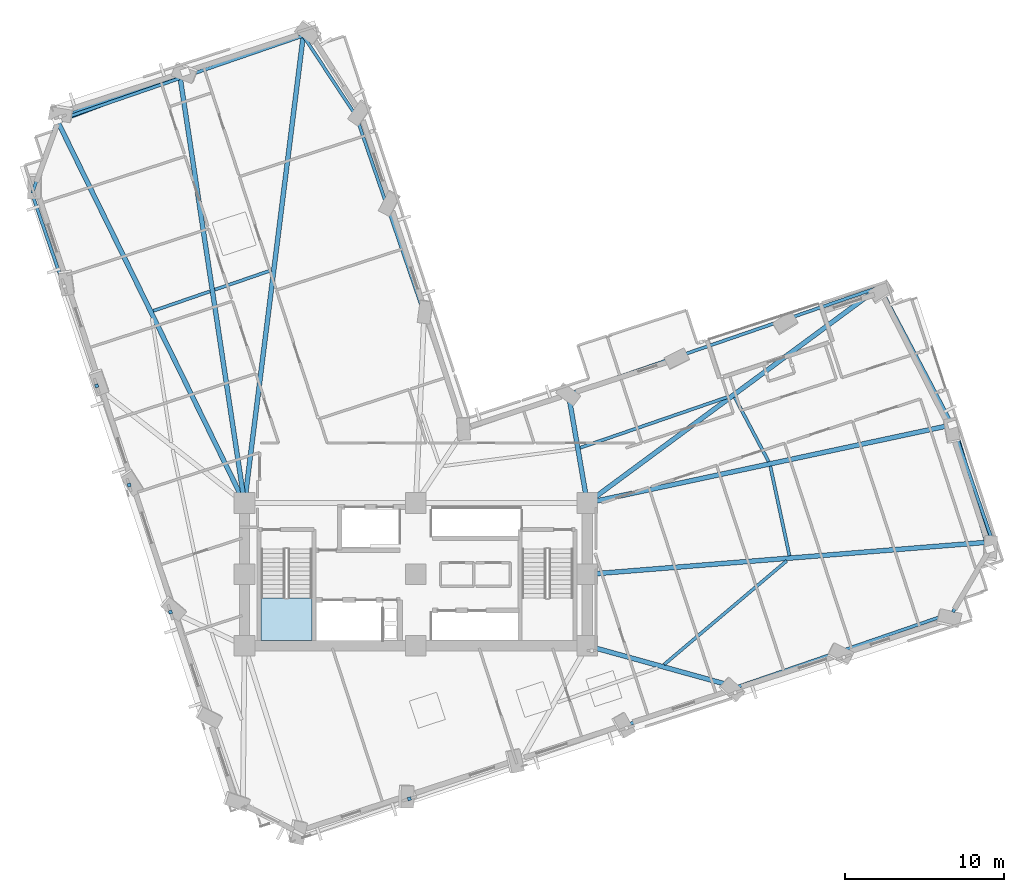
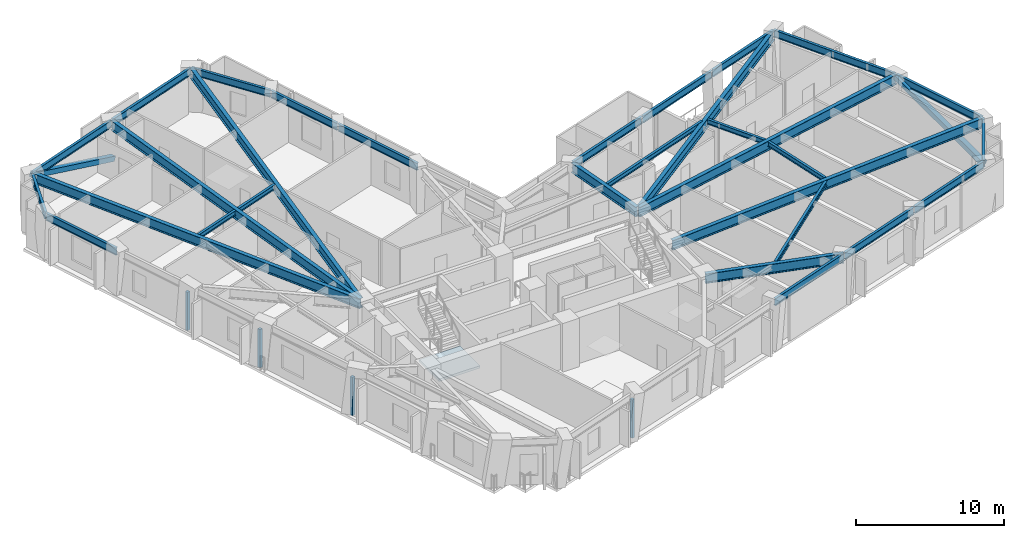
# One storey, part 2 of 16: 30 beams, 4 plates, 2 members, 1 slab, 1 element without a shape of its own.
"""IFC4 building model written with IfcOpenShell, lengths in metres."""

from ifc_helpers import new_model, si_unit, direction, frame, origin, origin_2d, place, context, subcontext, project, spatial, polyline, rectangle, hollow_rectangle, i_section, outline, extrude, material, layer, layer_set, material_profile, profile_set, type_object, element, aggregate, save


model = new_model("IFC4")

# Units and contexts
model_context = context("Model", 3, precision=1e-05, world=origin(), true_north=direction((0.0, 1.0)))
body_context = subcontext(model_context, "Body", "Model", "MODEL_VIEW")
ifc_project = project(units=[si_unit("LENGTHUNIT", "METRE"), si_unit("AREAUNIT", "SQUARE_METRE"), si_unit("VOLUMEUNIT", "CUBIC_METRE"), si_unit("PLANEANGLEUNIT", "RADIAN"), si_unit("MASSUNIT", "GRAM", prefix="KILO")], contexts=[model_context])

# Site, building, storey
site_placement = place(None, origin())
site = spatial("IfcSite", under=ifc_project, at=site_placement, CompositionType="ELEMENT")
building_placement = place(site_placement, origin())
building = spatial("IfcBuilding", under=site, at=building_placement, Name="Gaonmaruhae Medical Tower", CompositionType="ELEMENT")
storey_placement = place(building_placement, frame((0.0, 0.0, 100.39990234375)))
storey = spatial("IfcBuildingStorey", under=building, at=storey_placement, Name="L23", CompositionType="ELEMENT", Elevation=100.39990234375)

# Beams
ifc_material_1 = material(Name="Steel SM355", Category="steel")
ifc_material_profile_1 = material_profile(ifc_material_1, i_section(OverallWidth=0.199951171875, OverallDepth=0.39990234375, WebThickness=0.008056640625, FlangeThickness=0.012939453125, FilletRadius=0.012939453125, at=origin_2d()), Name="H-400x200x8x13")
ifc_profile_set_1 = profile_set([ifc_material_profile_1], Name="Steel SM355")
beam_type_1 = type_object("IfcBeamType", Name="FJ-01 Lower Zone Ward Floor Joist (H-400x200x8x13)", PredefinedType="JOIST", material=ifc_profile_set_1)
beam_1_placement = place(storey_placement, frame((40.4453125, 6.618408203125, 3.580078125), z_axis=(0.763563717736, 0.645732490244, 0.0), x_axis=(-0.645732490244, 0.763563717736, 0.0)))
element("IfcBeam", 1, at=beam_1_placement, inside=storey, type_object=beam_type_1, Name="L23 Secondary Floor Joist FJ03", PredefinedType="JOIST", context=body_context, shape_type="SweptSolid", body=[
    extrude(i_section(OverallWidth=0.199951171875, OverallDepth=0.39990234375, WebThickness=0.008056640625, FlangeThickness=0.012939453125, FilletRadius=0.012939453125, at=origin_2d()), origin(), (0.0, 0.0, 1.0), 10.12353515625),
])
beam_2_placement = place(storey_placement, frame((48.343505859375, 13.479248046875, 3.580078125), z_axis=(-0.209094772352, 0.977895380997, 0.0), x_axis=(-0.977895380997, -0.209094772352, 0.0)))
element("IfcBeam", 2, at=beam_2_placement, inside=storey, type_object=beam_type_1, Name="L23 Secondary Floor Joist FJ04", PredefinedType="JOIST", context=body_context, shape_type="SweptSolid", body=[
    extrude(i_section(OverallWidth=0.199951171875, OverallDepth=0.39990234375, WebThickness=0.008056640625, FlangeThickness=0.012939453125, FilletRadius=0.012939453125, at=origin_2d()), origin(), (0.0, 0.0, 1.0), 5.758544921875),
])
beam_3_placement = place(storey_placement, frame((47.03125, 19.40625, 3.580078125), z_axis=(-0.466246392734, 0.884654905182, 0.0), x_axis=(-0.884654905182, -0.466246392734, 0.0)))
element("IfcBeam", 3, at=beam_3_placement, inside=storey, type_object=beam_type_1, Name="L23 Secondary Floor Joist FJ05", PredefinedType="JOIST", context=body_context, shape_type="SweptSolid", body=[
    extrude(i_section(OverallWidth=0.199951171875, OverallDepth=0.39990234375, WebThickness=0.008056640625, FlangeThickness=0.012939453125, FilletRadius=0.012939453125, at=origin_2d()), origin(), (0.0, 0.0, 1.0), 4.588134765625),
])
beam_4_placement = place(storey_placement, frame((44.439697265625, 23.47412109375, 3.580078125), z_axis=(-0.9455208944, -0.325561420093, 0.0), x_axis=(0.325561420093, -0.9455208944, 0.0)))
element("IfcBeam", 4, at=beam_4_placement, inside=storey, type_object=beam_type_1, Name="L23 Secondary Floor Joist FJ06", PredefinedType="JOIST", context=body_context, shape_type="SweptSolid", body=[
    extrude(i_section(OverallWidth=0.199951171875, OverallDepth=0.39990234375, WebThickness=0.008056640625, FlangeThickness=0.012939453125, FilletRadius=0.012939453125, at=origin_2d()), origin(), (0.0, 0.0, 1.0), 9.816162109375),
])
beam_5_placement = place(storey_placement, frame((15.687744140625, 31.46484375, 3.580078125), z_axis=(-0.945520912761, -0.325561366769, 0.0), x_axis=(0.325561366769, -0.945520912761, 0.0)))
element("IfcBeam", 5, at=beam_5_placement, inside=storey, type_object=beam_type_1, Name="L23 Secondary Floor Joist FJ10", PredefinedType="JOIST", context=body_context, shape_type="SweptSolid", body=[
    extrude(i_section(OverallWidth=0.199951171875, OverallDepth=0.39990234375, WebThickness=0.008056640625, FlangeThickness=0.012939453125, FilletRadius=0.012939453125, at=origin_2d()), origin(), (0.0, 0.0, 1.0), 3.768310546875),
])
beam_6_placement = place(storey_placement, frame((11.824951171875, 30.134765625, 3.580078125), z_axis=(-0.945527819877, -0.325541305888, 0.0), x_axis=(0.325541305888, -0.945527819877, 0.0)))
element("IfcBeam", 6, at=beam_6_placement, inside=storey, type_object=beam_type_1, Name="L23 Secondary Floor Joist FJ11", PredefinedType="JOIST", context=body_context, shape_type="SweptSolid", body=[
    extrude(i_section(OverallWidth=0.199951171875, OverallDepth=0.39990234375, WebThickness=0.008056640625, FlangeThickness=0.012939453125, FilletRadius=0.012939453125, at=origin_2d()), origin(), (0.0, 0.0, 1.0), 3.7841796875),
])

# Members
ifc_material_2 = material(Name="Steel SM420", Category="steel")
ifc_material_profile_2 = material_profile(ifc_material_2, hollow_rectangle(XDim=0.39990234375, YDim=0.39990234375, WallThickness=0.01611328125, at=origin_2d()), Name="RHS-400x400x16")
ifc_profile_set_2 = profile_set([ifc_material_profile_2], Name="Steel SM420")
member_type = type_object("IfcMemberType", Name="PB-01 Perimeter Solid-Bay Tube Brace Lower (RHS-400x400x16)", PredefinedType="BRACE", material=ifc_profile_set_2)
member_1_placement = place(storey_placement, frame((60.975830078125, 13.895751953125, 0.25), z_axis=(-0.268075256206, 0.888588021115, 0.372219002391), x_axis=(-0.957380674889, -0.288829090207, 0.0)))
element("IfcMember", 7, at=member_1_placement, inside=storey, type_object=member_type, Name="L23 Perimeter Tube Solid-Bay Brace E01-E02", PredefinedType="BRACE", context=body_context, shape_type="SweptSolid", body=[
    extrude(hollow_rectangle(XDim=0.39990234375, YDim=0.39990234375, WallThickness=0.01611328125, at=origin_2d()), origin(), (0.0, 0.0, 1.0), 8.81201171875),
])
member_2_placement = place(storey_placement, frame((10.26416015625, 43.96240234375, 0.25), z_axis=(-0.874019273833, -0.331400517495, 0.355336468678), x_axis=(0.354538227159, -0.935041520727, 0.0)))
element("IfcMember", 8, at=member_2_placement, inside=storey, type_object=member_type, Name="L23 Perimeter Tube Solid-Bay Brace N02-N03", PredefinedType="BRACE", context=body_context, shape_type="SweptSolid", body=[
    extrude(hollow_rectangle(XDim=0.39990234375, YDim=0.39990234375, WallThickness=0.01611328125, at=origin_2d()), origin(), (0.0, 0.0, 1.0), 9.230712890625),
])

# Beams
ifc_material_profile_3 = material_profile(ifc_material_2, i_section(OverallWidth=0.300048828125, OverallDepth=0.800048828125, WebThickness=0.013916015625, FlangeThickness=0.02587890625, FilletRadius=0.01806640625, at=origin_2d()), Name="H-800x300x14x26")
ifc_profile_set_3 = profile_set([ifc_material_profile_3], Name="Steel SM420")
beam_type_2 = type_object("IfcBeamType", Name="PG-02 Zone 2 Radial Floor Girder (H-800x300x14x26)", PredefinedType="BEAM", material=ifc_profile_set_3)
beam_7_placement = place(storey_placement, frame((35.648193359375, 7.78662109375, 3.380126953125), z_axis=(0.963702010801, -0.266980213458, 0.0), x_axis=(0.266980213458, 0.963702010801, 0.0)))
element("IfcBeam", 9, at=beam_7_placement, inside=storey, type_object=beam_type_2, Name="L23 Radial Primary Girder S05", PredefinedType="BEAM", context=body_context, shape_type="SweptSolid", body=[
    extrude(i_section(OverallWidth=0.300048828125, OverallDepth=0.800048828125, WebThickness=0.013916015625, FlangeThickness=0.02587890625, FilletRadius=0.01806640625, at=origin_2d()), origin(), (0.0, 0.0, 1.0), 9.658447265625),
])
beam_8_placement = place(storey_placement, frame((35.64990234375, 12.303955078125, 3.380126953125), z_axis=(0.996793566017, 0.080016165535, 0.0), x_axis=(-0.080016165535, 0.996793566017, 0.0)))
element("IfcBeam", 10, at=beam_8_placement, inside=storey, type_object=beam_type_2, Name="L23 Radial Primary Girder E01", PredefinedType="BEAM", context=body_context, shape_type="SweptSolid", body=[
    extrude(i_section(OverallWidth=0.300048828125, OverallDepth=0.800048828125, WebThickness=0.013916015625, FlangeThickness=0.02587890625, FilletRadius=0.01806640625, at=origin_2d()), origin(), (0.0, 0.0, 1.0), 25.534912109375),
])
beam_9_placement = place(storey_placement, frame((35.64892578125, 16.810546875, 3.380126953125), z_axis=(0.97785041213, 0.209304972461, 0.0), x_axis=(-0.209304972461, 0.97785041213, 0.0)))
element("IfcBeam", 11, at=beam_9_placement, inside=storey, type_object=beam_type_2, Name="L23 Radial Primary Girder E02", PredefinedType="BEAM", context=body_context, shape_type="SweptSolid", body=[
    extrude(i_section(OverallWidth=0.300048828125, OverallDepth=0.800048828125, WebThickness=0.013916015625, FlangeThickness=0.02587890625, FilletRadius=0.01806640625, at=origin_2d()), origin(), (0.0, 0.0, 1.0), 23.434814453125),
])
beam_10_placement = place(storey_placement, frame((35.64013671875, 16.82958984375, 3.360107421875), z_axis=(0.804555576511, 0.593877364702, 0.0), x_axis=(-0.593877364702, 0.804555576511, 0.0)))
element("IfcBeam", 12, at=beam_10_placement, inside=storey, type_object=beam_type_2, Name="L23 Radial Primary Girder E03", PredefinedType="BEAM", context=body_context, shape_type="SweptSolid", body=[
    extrude(i_section(OverallWidth=0.300048828125, OverallDepth=0.800048828125, WebThickness=0.013916015625, FlangeThickness=0.02587890625, FilletRadius=0.01806640625, at=origin_2d()), origin(), (0.0, 0.0, 1.0), 22.816162109375),
])
beam_11_placement = place(storey_placement, frame((35.591552734375, 16.849365234375, 3.380126953125), z_axis=(-0.16999278788, 0.985445306483, 0.0), x_axis=(-0.985445306483, -0.16999278788, 0.0)))
element("IfcBeam", 13, at=beam_11_placement, inside=storey, type_object=beam_type_2, Name="L23 Radial Primary Girder EN03", PredefinedType="BEAM", context=body_context, shape_type="SweptSolid", body=[
    extrude(i_section(OverallWidth=0.300048828125, OverallDepth=0.800048828125, WebThickness=0.013916015625, FlangeThickness=0.02587890625, FilletRadius=0.01806640625, at=origin_2d()), origin(), (0.0, 0.0, 1.0), 6.85498046875),
])
beam_12_placement = place(storey_placement, frame((14.00634765625, 16.849609375, 3.380126953125), z_axis=(0.12477537024, 0.992185016507, 0.0), x_axis=(-0.992185016507, 0.12477537024, 0.0)))
element("IfcBeam", 14, at=beam_12_placement, inside=storey, type_object=beam_type_2, Name="L23 Radial Primary Girder N01", PredefinedType="BEAM", context=body_context, shape_type="SweptSolid", body=[
    extrude(i_section(OverallWidth=0.300048828125, OverallDepth=0.800048828125, WebThickness=0.013916015625, FlangeThickness=0.02587890625, FilletRadius=0.01806640625, at=origin_2d()), origin(), (0.0, 0.0, 1.0), 29.57470703125),
])
beam_13_placement = place(storey_placement, frame((13.992431640625, 16.849365234375, 3.380126953125), z_axis=(-0.149583404815, 0.988749111253, 0.0), x_axis=(-0.988749111253, -0.149583404815, 0.0)))
element("IfcBeam", 15, at=beam_13_placement, inside=storey, type_object=beam_type_2, Name="L23 Radial Primary Girder N02", PredefinedType="BEAM", context=body_context, shape_type="SweptSolid", body=[
    extrude(i_section(OverallWidth=0.300048828125, OverallDepth=0.800048828125, WebThickness=0.013916015625, FlangeThickness=0.02587890625, FilletRadius=0.01806640625, at=origin_2d()), origin(), (0.0, 0.0, 1.0), 26.9775390625),
])
beam_14_placement = place(storey_placement, frame((13.97802734375, 16.844970703125, 3.380126953125), z_axis=(-0.439809737421, 0.898090972491, 0.0), x_axis=(-0.898090972491, -0.439809737421, 0.0)))
element("IfcBeam", 16, at=beam_14_placement, inside=storey, type_object=beam_type_2, Name="L23 Radial Primary Girder N03", PredefinedType="BEAM", context=body_context, shape_type="SweptSolid", body=[
    extrude(i_section(OverallWidth=0.300048828125, OverallDepth=0.800048828125, WebThickness=0.013916015625, FlangeThickness=0.02587890625, FilletRadius=0.01806640625, at=origin_2d()), origin(), (0.0, 0.0, 1.0), 26.73828125),
])
ifc_material_profile_4 = material_profile(ifc_material_1, i_section(OverallWidth=0.199951171875, OverallDepth=0.60009765625, WebThickness=0.010986328125, FlangeThickness=0.01708984375, FilletRadius=0.012939453125, at=origin_2d()), Name="H-600x200x11x17")
ifc_profile_set_4 = profile_set([ifc_material_profile_4], Name="Steel SM355")
beam_type_3 = type_object("IfcBeamType", Name="SP-01 Lower Perimeter Spandrel Beam (H-600x200x11x17)", PredefinedType="SPANDREL", material=ifc_profile_set_4)
beam_15_placement = place(storey_placement, frame((38.234375, 2.863525390625, 3.47998046875), z_axis=(0.945513188024, 0.325583800692, 0.0), x_axis=(-0.325583800692, 0.945513188024, 0.0)))
element("IfcBeam", 17, at=beam_15_placement, inside=storey, type_object=beam_type_3, Name="L23 Perimeter Spandrel Beam S04-S05", PredefinedType="SPANDREL", context=body_context, shape_type="SweptSolid", body=[
    extrude(i_section(OverallWidth=0.199951171875, OverallDepth=0.60009765625, WebThickness=0.010986328125, FlangeThickness=0.01708984375, FilletRadius=0.012939453125, at=origin_2d()), origin(), (0.0, 0.0, 1.0), 7.119873046875),
])
for number, where, z_axis, x_axis, name in (
    (18, (45.0419921875, 5.207763671875, 3.47998046875), (0.945516822755, 0.325573245043, 0.0), (-0.325573245043, 0.945516822755, 0.0), "L23 Perimeter Spandrel Beam S05-S06"),
    (19, (51.849609375, 7.5517578125, 3.47998046875), (0.945516822755, 0.325573245043, 0.0), (-0.325573245043, 0.945516822755, 0.0), "L23 Perimeter Spandrel Beam S06-S07"),
):
    element("IfcBeam", number, at=place(storey_placement, frame(where, z_axis=z_axis, x_axis=x_axis)), inside=storey, type_object=beam_type_3, Name=name, PredefinedType="SPANDREL", context=body_context, shape_type="SweptSolid", body=[
        extrude(i_section(OverallWidth=0.199951171875, OverallDepth=0.60009765625, WebThickness=0.010986328125, FlangeThickness=0.01708984375, FilletRadius=0.012939453125, at=origin_2d()), origin(), (0.0, 0.0, 1.0), 7.1201171875),
    ])
beam_16_placement = place(storey_placement, frame((58.639404296875, 9.917724609375, 3.47998046875), z_axis=(0.493208695596, 0.869911019926, 0.0), x_axis=(-0.869911019926, 0.493208695596, 0.0)))
element("IfcBeam", 20, at=beam_16_placement, inside=storey, type_object=beam_type_3, Name="L23 Perimeter Spandrel Beam S07-E01", PredefinedType="SPANDREL", context=body_context, shape_type="SweptSolid", body=[
    extrude(i_section(OverallWidth=0.199951171875, OverallDepth=0.60009765625, WebThickness=0.010986328125, FlangeThickness=0.01708984375, FilletRadius=0.012939453125, at=origin_2d()), origin(), (0.0, 0.0, 1.0), 5.056396484375),
])
beam_17_placement = place(storey_placement, frame((61.139892578125, 14.388916015625, 3.47998046875), z_axis=(-0.325576438841, 0.945515723017, 0.0), x_axis=(-0.945515723017, -0.325576438841, 0.0)))
element("IfcBeam", 21, at=beam_17_placement, inside=storey, type_object=beam_type_3, Name="L23 Perimeter Spandrel Beam E01-E02", PredefinedType="SPANDREL", context=body_context, shape_type="SweptSolid", body=[
    extrude(i_section(OverallWidth=0.199951171875, OverallDepth=0.60009765625, WebThickness=0.010986328125, FlangeThickness=0.01708984375, FilletRadius=0.012939453125, at=origin_2d()), origin(), (0.0, 0.0, 1.0), 7.719970703125),
])
beam_18_placement = place(storey_placement, frame((58.594970703125, 21.761474609375, 3.47998046875), z_axis=(-0.466240402812, 0.88465806207, 0.0), x_axis=(-0.88465806207, -0.466240402812, 0.0)))
element("IfcBeam", 22, at=beam_18_placement, inside=storey, type_object=beam_type_3, Name="L23 Perimeter Spandrel Beam E02-E03", PredefinedType="SPANDREL", context=body_context, shape_type="SweptSolid", body=[
    extrude(i_section(OverallWidth=0.199951171875, OverallDepth=0.60009765625, WebThickness=0.010986328125, FlangeThickness=0.01708984375, FilletRadius=0.012939453125, at=origin_2d()), origin(), (0.0, 0.0, 1.0), 9.7353515625),
])
beam_19_placement = place(storey_placement, frame((53.99951171875, 30.396240234375, 3.460205078125), z_axis=(-0.945522260497, -0.32555745254, 0.0), x_axis=(0.32555745254, -0.945522260497, 0.0)))
element("IfcBeam", 23, at=beam_19_placement, inside=storey, type_object=beam_type_3, Name="L23 Perimeter Spandrel Beam E03-EN01", PredefinedType="SPANDREL", context=body_context, shape_type="SweptSolid", body=[
    extrude(i_section(OverallWidth=0.199951171875, OverallDepth=0.60009765625, WebThickness=0.010986328125, FlangeThickness=0.01708984375, FilletRadius=0.012939453125, at=origin_2d()), origin(), (0.0, 0.0, 1.0), 6.27001953125),
])
for number, where, z_axis, x_axis, name in (
    (24, (47.995361328125, 28.328857421875, 3.460205078125), (-0.945527377703, -0.325542590169, 0.0), (0.325542590169, -0.945527377703, 0.0), "L23 Perimeter Spandrel Beam EN01-EN02"),
    (25, (41.187744140625, 25.98486328125, 3.47998046875), (-0.945516822755, -0.325573245043, 0.0), (0.325573245043, -0.945516822755, 0.0), "L23 Perimeter Spandrel Beam EN02-EN03"),
    (26, (25.310302734375, 28.756591796875, 3.47998046875), (-0.325573245043, 0.945516822755, 0.0), (-0.945516822755, -0.325573245043, 0.0), "L23 Perimeter Spandrel Beam NE01-NE02"),
):
    element("IfcBeam", number, at=place(storey_placement, frame(where, z_axis=z_axis, x_axis=x_axis)), inside=storey, type_object=beam_type_3, Name=name, PredefinedType="SPANDREL", context=body_context, shape_type="SweptSolid", body=[
        extrude(i_section(OverallWidth=0.199951171875, OverallDepth=0.60009765625, WebThickness=0.010986328125, FlangeThickness=0.01708984375, FilletRadius=0.012939453125, at=origin_2d()), origin(), (0.0, 0.0, 1.0), 7.1201171875),
    ])
beam_20_placement = place(storey_placement, frame((22.966064453125, 35.564453125, 3.47998046875), z_axis=(-0.325553436552, 0.945523643252, 0.0), x_axis=(-0.945523643252, -0.325553436552, 0.0)))
element("IfcBeam", 27, at=beam_20_placement, inside=storey, type_object=beam_type_3, Name="L23 Perimeter Spandrel Beam NE02-NE03", PredefinedType="SPANDREL", context=body_context, shape_type="SweptSolid", body=[
    extrude(i_section(OverallWidth=0.199951171875, OverallDepth=0.60009765625, WebThickness=0.010986328125, FlangeThickness=0.01708984375, FilletRadius=0.012939453125, at=origin_2d()), origin(), (0.0, 0.0, 1.0), 5.919921875),
])
beam_21_placement = place(storey_placement, frame((21.003662109375, 41.233154296875, 3.47998046875), z_axis=(-0.550210795865, 0.835025796077, 0.0), x_axis=(-0.835025796077, -0.550210795865, 0.0)))
element("IfcBeam", 28, at=beam_21_placement, inside=storey, type_object=beam_type_3, Name="L23 Perimeter Spandrel Beam NE03-N01", PredefinedType="SPANDREL", context=body_context, shape_type="SweptSolid", body=[
    extrude(i_section(OverallWidth=0.199951171875, OverallDepth=0.60009765625, WebThickness=0.010986328125, FlangeThickness=0.01708984375, FilletRadius=0.012939453125, at=origin_2d()), origin(), (0.0, 0.0, 1.0), 5.959228515625),
])
beam_22_placement = place(storey_placement, frame((17.6650390625, 46.2294921875, 3.47998046875), z_axis=(-0.9455192277, -0.325566260614, 0.0), x_axis=(0.325566260614, -0.9455192277, 0.0)))
element("IfcBeam", 29, at=beam_22_placement, inside=storey, type_object=beam_type_3, Name="L23 Perimeter Spandrel Beam N01-N02", PredefinedType="SPANDREL", context=body_context, shape_type="SweptSolid", body=[
    extrude(i_section(OverallWidth=0.199951171875, OverallDepth=0.60009765625, WebThickness=0.010986328125, FlangeThickness=0.01708984375, FilletRadius=0.012939453125, at=origin_2d()), origin(), (0.0, 0.0, 1.0), 8.119873046875),
])
beam_23_placement = place(storey_placement, frame((9.911865234375, 43.56005859375, 3.47998046875), z_axis=(-0.945513159157, -0.325583884524, 0.0), x_axis=(0.325583884524, -0.945513159157, 0.0)))
element("IfcBeam", 30, at=beam_23_placement, inside=storey, type_object=beam_type_3, Name="L23 Perimeter Spandrel Beam N02-N03", PredefinedType="SPANDREL", context=body_context, shape_type="SweptSolid", body=[
    extrude(i_section(OverallWidth=0.199951171875, OverallDepth=0.60009765625, WebThickness=0.010986328125, FlangeThickness=0.01708984375, FilletRadius=0.012939453125, at=origin_2d()), origin(), (0.0, 0.0, 1.0), 8.1201171875),
])
beam_24_placement = place(storey_placement, frame((2.183349609375, 40.865478515625, 3.47998046875), z_axis=(-0.324347726789, -0.94593792192, 0.0), x_axis=(0.94593792192, -0.324347726789, 0.0)))
element("IfcBeam", 31, at=beam_24_placement, inside=storey, type_object=beam_type_3, Name="L23 Perimeter Spandrel Beam N03-W01", PredefinedType="SPANDREL", context=body_context, shape_type="SweptSolid", body=[
    extrude(i_section(OverallWidth=0.199951171875, OverallDepth=0.60009765625, WebThickness=0.010986328125, FlangeThickness=0.01708984375, FilletRadius=0.012939453125, at=origin_2d()), origin(), (0.0, 0.0, 1.0), 4.80078125),
])
beam_25_placement = place(storey_placement, frame((0.626220703125, 36.24853515625, 3.47998046875), z_axis=(0.325576351052, -0.945515753246, 0.0), x_axis=(0.945515753246, 0.325576351052, 0.0)))
element("IfcBeam", 32, at=beam_25_placement, inside=storey, type_object=beam_type_3, Name="L23 Perimeter Spandrel Beam W01-W02", PredefinedType="SPANDREL", context=body_context, shape_type="SweptSolid", body=[
    extrude(i_section(OverallWidth=0.199951171875, OverallDepth=0.60009765625, WebThickness=0.010986328125, FlangeThickness=0.01708984375, FilletRadius=0.012939453125, at=origin_2d()), origin(), (0.0, 0.0, 1.0), 6.31982421875),
])

# Plates
ifc_material_3 = material(Name="Anodised aluminium 6063-T6", Category="aluminium")
ifc_layer_1 = layer(ifc_material_3, 0.011962890625)
ifc_layer_set_1 = layer_set([ifc_layer_1], Name="Anodised aluminium 6063-T6")
plate_type = type_object("IfcPlateType", Name="PP-01 Interior Partition Corner Stiffener Plate", PredefinedType="SHEET", material=ifc_layer_set_1)
for number, where, z_axis, x_axis, name in (
    (33, (24.388427734375, -1.845458984375, 0.0), (0.0, 0.0, 1.0), (-0.950764852288, -0.309913206647, 0.0), "L23 Partition Corner Stiffener Plate PLT-L23-JGP-PW010"),
    (34, (9.33544921875, 9.922119140625, 0.0), (0.0, 0.0, 1.0), (-0.309216176407, 0.950991775069, 0.0), "L23 Partition Corner Stiffener Plate PLT-L23-JGP-PW036"),
    (35, (6.72802734375, 17.925048828125, 0.0), (0.0, 0.0, 1.0), (-0.309929800577, 0.950759443137, 0.0), "L23 Partition Corner Stiffener Plate PLT-L23-JGP-PW044"),
    (36, (4.6884765625, 24.18310546875, 0.0), (0.0, 0.0, 1.0), (-0.31042757455, 0.950597033952, 0.0), "L23 Partition Corner Stiffener Plate PLT-L23-JGP-PW050"),
):
    element("IfcPlate", number, at=place(storey_placement, frame(where, z_axis=z_axis, x_axis=x_axis)), inside=storey, type_object=plate_type, Name=name, PredefinedType="SHEET", context=body_context, shape_type="SweptSolid", body=[
        extrude(rectangle(XDim=0.219970703125, YDim=0.219970703125, at=origin_2d()), origin(), (0.0, 0.0, 1.0), 3.1650390625),
    ])

# Stair, slab
ifc_material_4 = material(Name="Concrete C40/50", Category="concrete")
stair_type = type_object("IfcStairType", Name="ST-T1 Primary Core Escape Dogleg Stair", PredefinedType="TWO_QUARTER_TURN_STAIR", material=ifc_material_4)
stair_placement = place(storey_placement, origin())
stair = element("IfcStair", 37, at=stair_placement, inside=storey, type_object=stair_type, Name="L23 Protected Escape Stair ST-01", PredefinedType="TWO_QUARTER_TURN_STAIR")
ifc_layer_2 = layer(ifc_material_4, 0.199951171875)
ifc_layer_set_2 = layer_set([ifc_layer_2], Name="Concrete C40/50")
slab_type = type_object("IfcSlabType", Name="SL-200 Stair & Ramp Intermediate Concrete Landing", PredefinedType="LANDING", material=ifc_layer_set_2)
slab_placement = place(storey_placement, frame((0.0, 0.0, 1.800048828125)))
slab = element("IfcSlab", 38, at=slab_placement, type_object=slab_type, Name="ST-01 landing 1", PredefinedType="LANDING", context=body_context, shape_type="SweptSolid", body=[
    extrude(outline(polyline([(15.050048828125, 10.820068359375), (15.050048828125, 8.12890625), (18.25, 8.12890625), (18.25, 10.820068359375), (15.050048828125, 10.820068359375)])), origin(), (0.0, 0.0, 1.0), 0.199951171875),
])
aggregate(stair, [slab])

save(model, "model.ifc")
